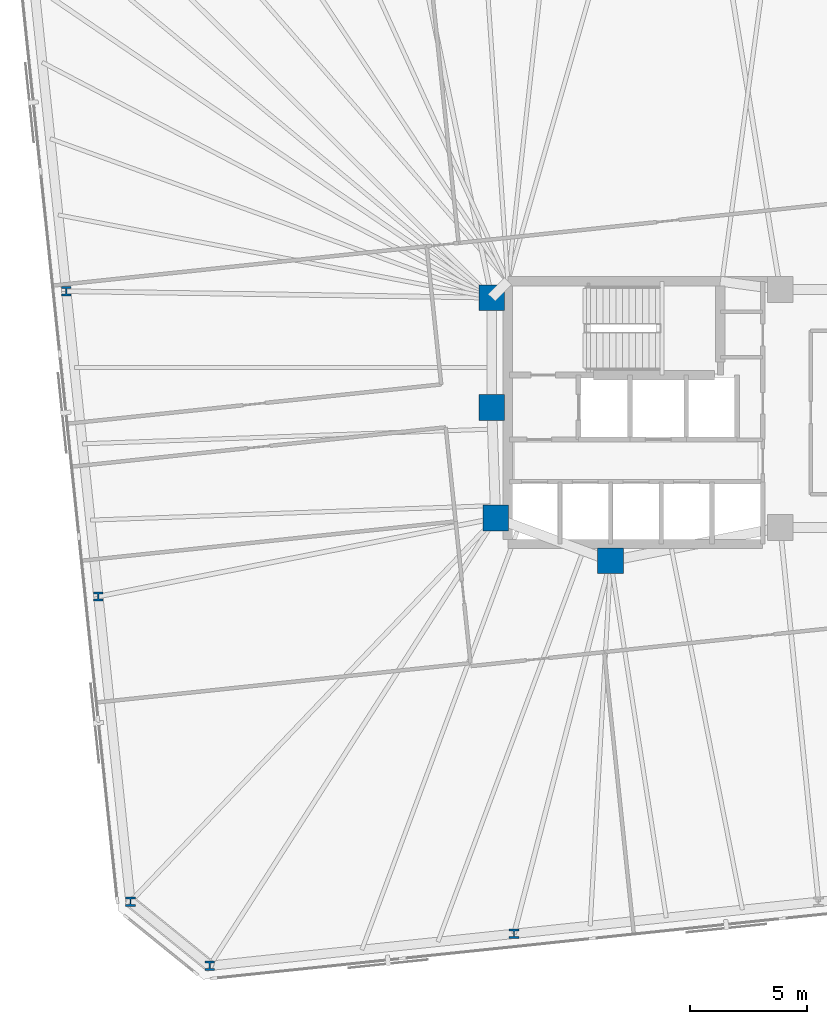
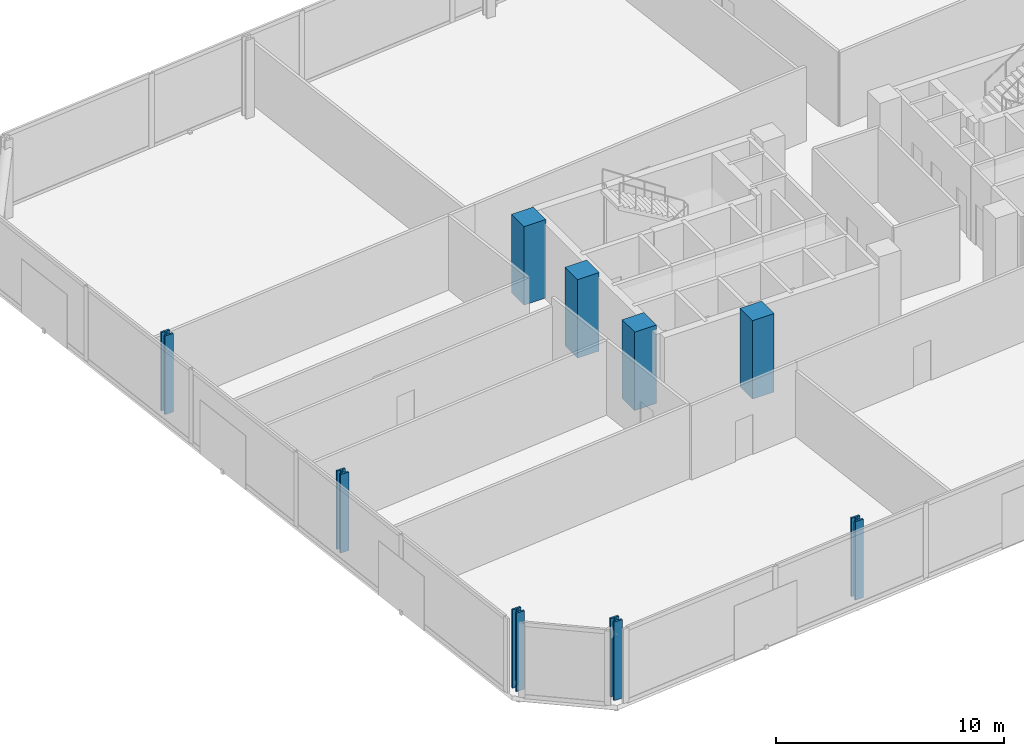
# One storey, part 1 of 16: 9 columns.
"""IFC4 building model written with IfcOpenShell, lengths in metres."""

from ifc_helpers import new_model, si_unit, direction, frame, origin, origin_2d, place, context, subcontext, project, spatial, rectangle, i_section, extrude, material, material_profile, profile_set, type_object, element, save


model = new_model("IFC4")

# Units and contexts
model_context = context("Model", 3, precision=1e-05, world=origin(), true_north=direction((0.0, 1.0)))
body_context = subcontext(model_context, "Body", "Model", "MODEL_VIEW")
ifc_project = project(units=[si_unit("LENGTHUNIT", "METRE"), si_unit("AREAUNIT", "SQUARE_METRE"), si_unit("VOLUMEUNIT", "CUBIC_METRE"), si_unit("PLANEANGLEUNIT", "RADIAN"), si_unit("MASSUNIT", "GRAM", prefix="KILO")], contexts=[model_context])

# Site, building, storey
site_placement = place(None, origin())
site = spatial("IfcSite", under=ifc_project, at=site_placement, CompositionType="ELEMENT")
building_placement = place(site_placement, origin())
building = spatial("IfcBuilding", under=site, at=building_placement, Name="Menara Jurai Vektor", CompositionType="ELEMENT")
storey_placement = place(building_placement, frame((0.0, 0.0, 83.199951171875)))
storey = spatial("IfcBuildingStorey", under=building, at=storey_placement, Name="L20", CompositionType="ELEMENT", Elevation=83.199951171875)

# Columns
ifc_material_1 = material(Name="Concrete C50/60", Category="concrete")
ifc_material_profile_1 = material_profile(ifc_material_1, rectangle(XDim=1.10009765625, YDim=1.10009765625, at=origin_2d()), Name="RC 1100x1100")
ifc_profile_set_1 = profile_set([ifc_material_profile_1], Name="Concrete C50/60")
column_type_1 = type_object("IfcColumnType", Name="STR-COL-RC1100", PredefinedType="COLUMN", material=ifc_profile_set_1)
for number, where, z_axis, x_axis, name in (
    (1, (-15.25, 4.89990234375, 0.0), (0.0, 0.0, 1.0), (1.0, 0.0, 0.0), "Core Spine Column CW-NW L20"),
    (2, (-15.25, 0.219970703125, 0.0), (0.0, 0.0, 1.0), (1.0, 0.0, 0.0), "Core Spine Column CW-WM L20"),
    (3, (-15.080078125, -4.5, 0.0), (0.0, 0.0, 1.0), (1.0, 0.0, 0.0), "Core Spine Column CW-SW L20"),
    (4, (-10.179931640625, -6.320068359375, 0.0), (0.0, 0.0, 1.0), (1.0, 0.0, 0.0), "Core Spine Column CW-SM L20"),
):
    element("IfcColumn", number, at=place(storey_placement, frame(where, z_axis=z_axis, x_axis=x_axis)), inside=storey, type_object=column_type_1, Name=name, PredefinedType="COLUMN", context=body_context, shape_type="SweptSolid", body=[
        extrude(rectangle(XDim=1.10009765625, YDim=1.10009765625, at=origin_2d()), origin(), (0.0, 0.0, 1.0), 4.199951171875),
    ])
ifc_material_2 = material(Name="Steel S460", Category="steel")
ifc_material_profile_2 = material_profile(ifc_material_2, i_section(OverallWidth=0.4130859375, OverallDepth=0.39794921875, WebThickness=0.055908203125, FlangeThickness=0.089111328125, FilletRadius=0.014892578125, at=origin_2d()), Name="HD 400x744")
ifc_profile_set_2 = profile_set([ifc_material_profile_2], Name="Steel S460")
column_type_2 = type_object("IfcColumnType", Name="STR-EXO-BLK2", PredefinedType="COLUMN", material=ifc_profile_set_2)
for number, where, z_axis, x_axis, name in (
    (5, (-27.2763671875, -23.586181640625, 0.0), (0.0, 0.0, 1.0), (1.0, 0.0, 0.0), "Exoskeleton Column BLK2-S1 L20"),
    (6, (-14.296630859375, -22.221923828125, 0.0), (0.0, 0.0, 1.0), (1.0, 0.0, 0.0), "Exoskeleton Column BLK2-S2 L20"),
    (7, (-33.388427734375, 5.175048828125, 0.0), (0.0, 0.0, 1.0), (1.0, 0.0, 0.0), "Exoskeleton Column BLK2-W2 L20"),
    (8, (-32.0205078125, -7.83837890625, 0.0), (0.0, 0.0, 1.0), (1.0, 0.0, 0.0), "Exoskeleton Column BLK2-W3 L20"),
    (9, (-30.65283203125, -20.85205078125, 0.0), (0.0, 0.0, 1.0), (1.0, 0.0, 0.0), "Exoskeleton Column BLK2-W4 L20"),
):
    element("IfcColumn", number, at=place(storey_placement, frame(where, z_axis=z_axis, x_axis=x_axis)), inside=storey, type_object=column_type_2, Name=name, PredefinedType="COLUMN", context=body_context, shape_type="SweptSolid", body=[
        extrude(i_section(OverallWidth=0.4130859375, OverallDepth=0.39794921875, WebThickness=0.055908203125, FlangeThickness=0.089111328125, FilletRadius=0.014892578125, at=origin_2d()), origin(), (0.0, 0.0, 1.0), 4.199951171875),
    ])

save(model, "model.ifc")
